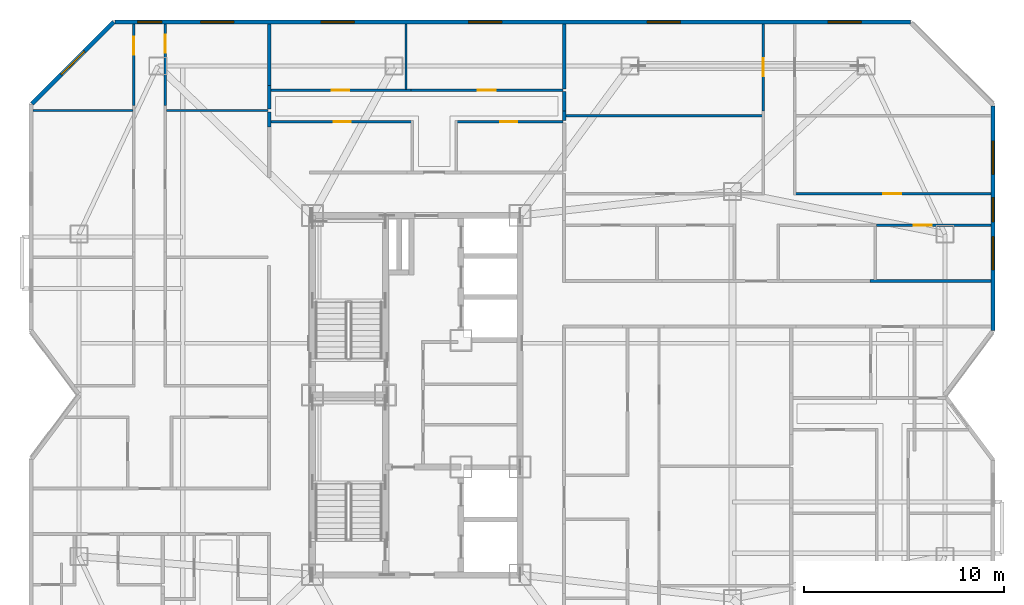
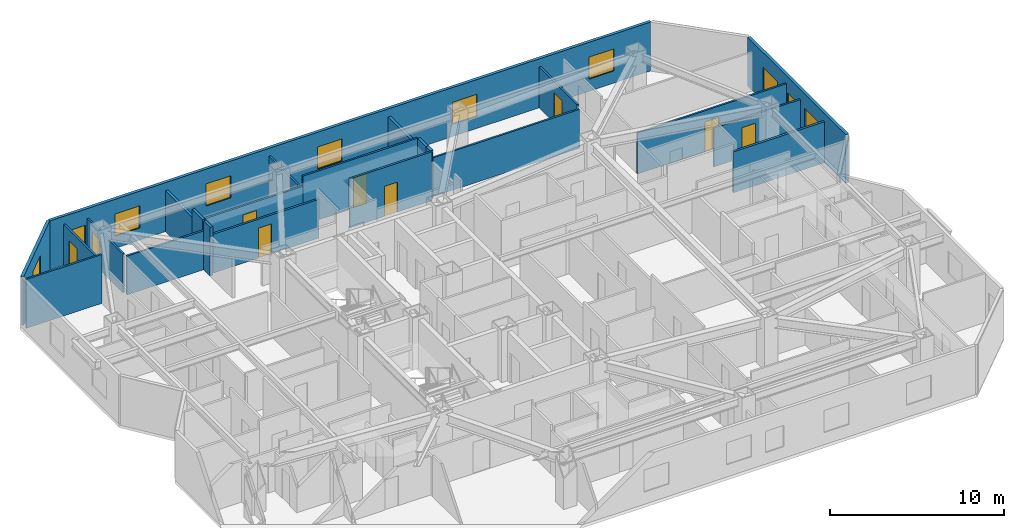
# One storey, part 10 of 13: 23 walls, 10 windows, 9 doors, 19 openings.
"""IFC4 building model written with IfcOpenShell, lengths in metres."""

from ifc_helpers import new_model, si_unit, direction, frame, frame_2d, origin, place, context, subcontext, project, spatial, rectangle, extrude, material, layer, layer_set, type_object, element, fill, save


model = new_model("IFC4")

# Units and contexts
model_context = context("Model", 3, precision=1e-05, world=origin(), true_north=direction((0.0, 1.0)))
body_context = subcontext(model_context, "Body", "Model", "MODEL_VIEW")
ifc_project = project(units=[si_unit("LENGTHUNIT", "METRE"), si_unit("AREAUNIT", "SQUARE_METRE"), si_unit("VOLUMEUNIT", "CUBIC_METRE"), si_unit("PLANEANGLEUNIT", "RADIAN"), si_unit("MASSUNIT", "GRAM", prefix="KILO")], contexts=[model_context])

# Site, building, storey
site_placement = place(None, origin())
site = spatial("IfcSite", under=ifc_project, at=site_placement, CompositionType="ELEMENT")
building_placement = place(site_placement, origin())
building = spatial("IfcBuilding", under=site, at=building_placement, Name="Khamvora Tower", CompositionType="ELEMENT")
storey_placement = place(building_placement, frame((0.0, 0.0, 166.85009765625)))
storey = spatial("IfcBuildingStorey", under=building, at=storey_placement, Name="L42", CompositionType="ELEMENT", Elevation=166.85009765625)

# Walls
ifc_material_1 = material(Name="Fire-Rated Drywall and Steel Stud", Category="steel")
ifc_layer_1 = layer(ifc_material_1, 0.14990234375)
ifc_layer_set_1 = layer_set([ifc_layer_1], Name="Fire-Rated Drywall and Steel Stud")
wall_type_1 = type_object("IfcWallType", Name="WAL-CORR-150", PredefinedType="STANDARD", material=ifc_layer_set_1)
wall_1_placement = place(storey_placement, frame((56.950927734375, 33.715087890625, 0.0), z_axis=(0.0, 0.0, 1.0), x_axis=(1.0, 0.0, 0.0)))
element("IfcWall", 1, at=wall_1_placement, inside=storey, type_object=wall_type_1, Name="L42 interior partition wall 039", PredefinedType="STANDARD", context=body_context, shape_type="SweptSolid", body=[
    extrude(rectangle(XDim=6.05712890625, YDim=0.14990234375, at=frame_2d((3.028564453125, 0.0))), origin(), (0.0, 0.0, 1.0), 2.8759765625),
])
ifc_material_2 = material(Name="Acoustic Double-Stud Fire Wall", Category="gypsum")
ifc_layer_2 = layer(ifc_material_2, 0.179931640625)
ifc_layer_set_2 = layer_set([ifc_layer_2], Name="Acoustic Double-Stud Fire Wall")
wall_type_2 = type_object("IfcWallType", Name="WAL-CORR-180", PredefinedType="STANDARD", material=ifc_layer_set_2)
wall_2_placement = place(storey_placement, frame((26.8349609375, 42.197998046875, 0.0), z_axis=(0.0, 0.0, 1.0), x_axis=(0.0, -1.0, 0.0)))
element("IfcWall", 2, at=wall_2_placement, inside=storey, type_object=wall_type_2, Name="L42 interior partition wall 082", PredefinedType="STANDARD", context=body_context, shape_type="SweptSolid", body=[
    extrude(rectangle(XDim=0.751953125, YDim=0.179931640625, at=frame_2d((0.3759765625, 0.0))), origin(), (0.0, 0.0, 1.0), 3.429931640625),
])
wall_3_placement = place(storey_placement, frame((26.8349609375, 43.52392578125, 0.0), z_axis=(0.0, 0.0, 1.0), x_axis=(0.0, -1.0, 0.0)))
element("IfcWall", 3, at=wall_3_placement, inside=storey, type_object=wall_type_2, Name="L42 interior partition wall 084", PredefinedType="STANDARD", context=body_context, shape_type="SweptSolid", body=[
    extrude(rectangle(XDim=1.196044921875, YDim=0.179931640625, at=frame_2d((0.59814453125, 0.0))), origin(), (0.0, 0.0, 1.0), 3.429931640625),
])
wall_4_placement = place(storey_placement, frame((26.8349609375, 46.60791015625, 0.0), z_axis=(0.0, 0.0, 1.0), x_axis=(0.0, -1.0, 0.0)))
element("IfcWall", 4, at=wall_4_placement, inside=storey, type_object=wall_type_2, Name="L42 interior partition wall 085", PredefinedType="STANDARD", context=body_context, shape_type="SweptSolid", body=[
    extrude(rectangle(XDim=3.083984375, YDim=0.179931640625, at=frame_2d((1.5419921875, 0.0))), origin(), (0.0, 0.0, 1.0), 2.8759765625),
])
wall_5_placement = place(storey_placement, frame((41.614990234375, 42.248046875, 0.0), z_axis=(0.0, 0.0, 1.0), x_axis=(0.0, -1.0, 0.0)))
element("IfcWall", 5, at=wall_5_placement, inside=storey, type_object=wall_type_2, Name="L42 interior partition wall 100", PredefinedType="STANDARD", context=body_context, shape_type="SweptSolid", body=[
    extrude(rectangle(XDim=0.488037109375, YDim=0.179931640625, at=frame_2d((0.244140625, 0.0))), origin(), (0.0, 0.0, 1.0), 3.429931640625),
])
wall_6_placement = place(storey_placement, frame((41.614990234375, 43.2099609375, 0.0), z_axis=(0.0, 0.0, 1.0), x_axis=(0.0, -1.0, 0.0)))
element("IfcWall", 6, at=wall_6_placement, inside=storey, type_object=wall_type_2, Name="L42 interior partition wall 101", PredefinedType="STANDARD", context=body_context, shape_type="SweptSolid", body=[
    extrude(rectangle(XDim=0.9619140625, YDim=0.179931640625, at=frame_2d((0.48095703125, 0.0))), origin(), (0.0, 0.0, 1.0), 3.429931640625),
])
wall_7_placement = place(storey_placement, frame((41.614990234375, 46.60791015625, 0.0), z_axis=(0.0, 0.0, 1.0), x_axis=(0.0, -1.0, 0.0)))
element("IfcWall", 7, at=wall_7_placement, inside=storey, type_object=wall_type_2, Name="L42 interior partition wall 104", PredefinedType="STANDARD", context=body_context, shape_type="SweptSolid", body=[
    extrude(rectangle(XDim=3.267822265625, YDim=0.179931640625, at=frame_2d((1.6337890625, 0.0))), origin(), (0.0, 0.0, 1.0), 2.8759765625),
])

# Wall, opening, window
ifc_material_3 = material(Name="Precast concrete C40/50", Category="concrete")
ifc_layer_3 = layer(ifc_material_3, 0.199951171875)
ifc_layer_set_3 = layer_set([ifc_layer_3], Name="Precast concrete C40/50")
wall_type_3 = type_object("IfcWallType", Name="WAL-EXT-200", PredefinedType="STANDARD", material=ifc_layer_set_3)
wall_8_placement = place(storey_placement, frame((14.945068359375, 42.60400390625, 0.0), z_axis=(0.0, 0.0, 1.0), x_axis=(0.707106781187, 0.707106781187, 0.0)))
wall_8 = element("IfcWall", 8, at=wall_8_placement, inside=storey, type_object=wall_type_3, Name="L42 exterior facade wall 06.1", PredefinedType="STANDARD", context=body_context, shape_type="SweptSolid", body=[
    extrude(rectangle(XDim=5.79248046875, YDim=0.199951171875, at=frame_2d((2.896240234375, 0.0))), origin(), (0.0, 0.0, 1.0), 3.429931640625),
])
opening_1_placement = place(wall_8_placement, frame((2.071044921875, 0.0, 0.85009765625)))
opening_1 = element("IfcOpeningElement", 9, at=opening_1_placement, cuts=wall_8, Name="Opening WN-06", PredefinedType="OPENING", context=body_context, shape_type="SweptSolid", body=[
    extrude(rectangle(XDim=1.64990234375, YDim=1.550048828125, at=frame_2d((0.824951171875, 0.77490234375))), frame((0.0, 0.10986328125, 0.0), z_axis=(0.0, -1.0, 0.0), x_axis=(1.0, 0.0, 0.0)), (0.0, 0.0, 1.0), 0.219970703125),
])
ifc_material_4 = material(Name="Low-E Laminated Double Glazing", Category="glass")
window_type_1 = type_object("IfcWindowType", Name="WIN-VIS-1650x1550", PartitioningType="SINGLE_PANEL", PredefinedType="WINDOW", material=ifc_material_4)
window_1_placement = place(opening_1_placement, origin())
window_1 = element("IfcWindow", 10, at=window_1_placement, inside=storey, type_object=window_type_1, Name="L42 vision window 06.1.01", OverallHeight=1.550048828125, OverallWidth=1.64990234375, PartitioningType="SINGLE_PANEL", PredefinedType="WINDOW", context=body_context, shape_type="SweptSolid", body=[
    extrude(rectangle(XDim=1.64990234375, YDim=1.550048828125, at=frame_2d((0.824951171875, 0.77490234375))), frame((0.0, 0.030029296875, 0.0), z_axis=(0.0, -1.0, 0.0), x_axis=(1.0, 0.0, 0.0)), (0.0, 0.0, 1.0), 0.06005859375),
])
fill(opening_1, window_1)

# Wall, openings, windows
wall_9_placement = place(storey_placement, frame((19.10205078125, 46.699951171875, 0.0), z_axis=(0.0, 0.0, 1.0), x_axis=(1.0, 0.0, 0.0)))
wall_9 = element("IfcWall", 11, at=wall_9_placement, inside=storey, type_object=wall_type_3, Name="L42 exterior facade wall 07.1", PredefinedType="STANDARD", context=body_context, shape_type="SweptSolid", body=[
    extrude(rectangle(XDim=39.85693359375, YDim=0.199951171875, at=frame_2d((19.928466796875, 0.0))), origin(), (0.0, 0.0, 1.0), 3.429931640625),
])
opening_2_placement = place(wall_9_placement, frame((1.137939453125, 0.0, 0.800048828125)))
opening_2 = element("IfcOpeningElement", 12, at=opening_2_placement, cuts=wall_9, Name="Opening WN-03", PredefinedType="OPENING", context=body_context, shape_type="SweptSolid", body=[
    extrude(rectangle(XDim=1.199951171875, YDim=1.5, at=frame_2d((0.60009765625, 0.75))), frame((0.0, 0.10986328125, 0.0), z_axis=(0.0, -1.0, 0.0), x_axis=(1.0, 0.0, 0.0)), (0.0, 0.0, 1.0), 0.219970703125),
])
opening_3_placement = place(wall_9_placement, frame((4.302978515625, 0.0, 0.85009765625)))
opening_3 = element("IfcOpeningElement", 13, at=opening_3_placement, cuts=wall_9, Name="Opening WN-06", PredefinedType="OPENING", context=body_context, shape_type="SweptSolid", body=[
    extrude(rectangle(XDim=1.64990234375, YDim=1.550048828125, at=frame_2d((0.824951171875, 0.77490234375))), frame((0.0, 0.10986328125, 0.0), z_axis=(0.0, -1.0, 0.0), x_axis=(1.0, 0.0, 0.0)), (0.0, 0.0, 1.0), 0.219970703125),
])
opening_4_placement = place(wall_9_placement, frame((10.3359375, 0.0, 0.85009765625)))
opening_4 = element("IfcOpeningElement", 14, at=opening_4_placement, cuts=wall_9, Name="Opening WN-06", PredefinedType="OPENING", context=body_context, shape_type="SweptSolid", body=[
    extrude(rectangle(XDim=1.64990234375, YDim=1.550048828125, at=frame_2d((0.824951171875, 0.77490234375))), frame((0.0, 0.10986328125, 0.0), z_axis=(0.0, -1.0, 0.0), x_axis=(1.0, 0.0, 0.0)), (0.0, 0.0, 1.0), 0.219970703125),
])
opening_5_placement = place(wall_9_placement, frame((17.72607421875, 0.0, 0.85009765625)))
opening_5 = element("IfcOpeningElement", 15, at=opening_5_placement, cuts=wall_9, Name="Opening WN-06", PredefinedType="OPENING", context=body_context, shape_type="SweptSolid", body=[
    extrude(rectangle(XDim=1.64990234375, YDim=1.550048828125, at=frame_2d((0.824951171875, 0.77490234375))), frame((0.0, 0.10986328125, 0.0), z_axis=(0.0, -1.0, 0.0), x_axis=(1.0, 0.0, 0.0)), (0.0, 0.0, 1.0), 0.219970703125),
])
opening_6_placement = place(wall_9_placement, frame((26.679931640625, 0.0, 0.85009765625)))
opening_6 = element("IfcOpeningElement", 16, at=opening_6_placement, cuts=wall_9, Name="Opening WN-06", PredefinedType="OPENING", context=body_context, shape_type="SweptSolid", body=[
    extrude(rectangle(XDim=1.64990234375, YDim=1.550048828125, at=frame_2d((0.824951171875, 0.77490234375))), frame((0.0, 0.10986328125, 0.0), z_axis=(0.0, -1.0, 0.0), x_axis=(1.0, 0.0, 0.0)), (0.0, 0.0, 1.0), 0.219970703125),
])
opening_7_placement = place(wall_9_placement, frame((35.7451171875, 0.0, 0.85009765625)))
opening_7 = element("IfcOpeningElement", 17, at=opening_7_placement, cuts=wall_9, Name="Opening WN-06", PredefinedType="OPENING", context=body_context, shape_type="SweptSolid", body=[
    extrude(rectangle(XDim=1.64990234375, YDim=1.550048828125, at=frame_2d((0.824951171875, 0.77490234375))), frame((0.0, 0.10986328125, 0.0), z_axis=(0.0, -1.0, 0.0), x_axis=(1.0, 0.0, 0.0)), (0.0, 0.0, 1.0), 0.219970703125),
])
window_type_2 = type_object("IfcWindowType", Name="WIN-VIS-1200x1500", PartitioningType="SINGLE_PANEL", PredefinedType="WINDOW", material=ifc_material_4)
window_2_placement = place(opening_2_placement, origin())
window_2 = element("IfcWindow", 18, at=window_2_placement, inside=storey, type_object=window_type_2, Name="L42 vision window 07.1.01", OverallHeight=1.5, OverallWidth=1.199951171875, PartitioningType="SINGLE_PANEL", PredefinedType="WINDOW", context=body_context, shape_type="SweptSolid", body=[
    extrude(rectangle(XDim=1.199951171875, YDim=1.5, at=frame_2d((0.60009765625, 0.75))), frame((0.0, 0.030029296875, 0.0), z_axis=(0.0, -1.0, 0.0), x_axis=(1.0, 0.0, 0.0)), (0.0, 0.0, 1.0), 0.06005859375),
])
fill(opening_2, window_2)
window_3_placement = place(opening_3_placement, origin())
window_3 = element("IfcWindow", 19, at=window_3_placement, inside=storey, type_object=window_type_1, Name="L42 vision window 07.1.02", OverallHeight=1.550048828125, OverallWidth=1.64990234375, PartitioningType="SINGLE_PANEL", PredefinedType="WINDOW", context=body_context, shape_type="SweptSolid", body=[
    extrude(rectangle(XDim=1.64990234375, YDim=1.550048828125, at=frame_2d((0.824951171875, 0.77490234375))), frame((0.0, 0.030029296875, 0.0), z_axis=(0.0, -1.0, 0.0), x_axis=(1.0, 0.0, 0.0)), (0.0, 0.0, 1.0), 0.06005859375),
])
fill(opening_3, window_3)
window_4_placement = place(opening_4_placement, origin())
window_4 = element("IfcWindow", 20, at=window_4_placement, inside=storey, type_object=window_type_1, Name="L42 vision window 07.1.03", OverallHeight=1.550048828125, OverallWidth=1.64990234375, PartitioningType="SINGLE_PANEL", PredefinedType="WINDOW", context=body_context, shape_type="SweptSolid", body=[
    extrude(rectangle(XDim=1.64990234375, YDim=1.550048828125, at=frame_2d((0.824951171875, 0.77490234375))), frame((0.0, 0.030029296875, 0.0), z_axis=(0.0, -1.0, 0.0), x_axis=(1.0, 0.0, 0.0)), (0.0, 0.0, 1.0), 0.06005859375),
])
fill(opening_4, window_4)
window_5_placement = place(opening_5_placement, origin())
window_5 = element("IfcWindow", 21, at=window_5_placement, inside=storey, type_object=window_type_1, Name="L42 vision window 07.1.04", OverallHeight=1.550048828125, OverallWidth=1.64990234375, PartitioningType="SINGLE_PANEL", PredefinedType="WINDOW", context=body_context, shape_type="SweptSolid", body=[
    extrude(rectangle(XDim=1.64990234375, YDim=1.550048828125, at=frame_2d((0.824951171875, 0.77490234375))), frame((0.0, 0.030029296875, 0.0), z_axis=(0.0, -1.0, 0.0), x_axis=(1.0, 0.0, 0.0)), (0.0, 0.0, 1.0), 0.06005859375),
])
fill(opening_5, window_5)
window_6_placement = place(opening_6_placement, origin())
window_6 = element("IfcWindow", 22, at=window_6_placement, inside=storey, type_object=window_type_1, Name="L42 vision window 07.1.05", OverallHeight=1.550048828125, OverallWidth=1.64990234375, PartitioningType="SINGLE_PANEL", PredefinedType="WINDOW", context=body_context, shape_type="SweptSolid", body=[
    extrude(rectangle(XDim=1.64990234375, YDim=1.550048828125, at=frame_2d((0.824951171875, 0.77490234375))), frame((0.0, 0.030029296875, 0.0), z_axis=(0.0, -1.0, 0.0), x_axis=(1.0, 0.0, 0.0)), (0.0, 0.0, 1.0), 0.06005859375),
])
fill(opening_6, window_6)
window_7_placement = place(opening_7_placement, origin())
window_7 = element("IfcWindow", 23, at=window_7_placement, inside=storey, type_object=window_type_1, Name="L42 vision window 07.1.06", OverallHeight=1.550048828125, OverallWidth=1.64990234375, PartitioningType="SINGLE_PANEL", PredefinedType="WINDOW", context=body_context, shape_type="SweptSolid", body=[
    extrude(rectangle(XDim=1.64990234375, YDim=1.550048828125, at=frame_2d((0.824951171875, 0.77490234375))), frame((0.0, 0.030029296875, 0.0), z_axis=(0.0, -1.0, 0.0), x_axis=(1.0, 0.0, 0.0)), (0.0, 0.0, 1.0), 0.06005859375),
])
fill(opening_7, window_7)

wall_10_placement = place(storey_placement, frame((63.10009765625, 42.49609375, 0.0), z_axis=(0.0, 0.0, 1.0), x_axis=(0.0, -1.0, 0.0)))
wall_10 = element("IfcWall", 24, at=wall_10_placement, inside=storey, type_object=wall_type_3, Name="L42 exterior facade wall 09.1", PredefinedType="STANDARD", context=body_context, shape_type="SweptSolid", body=[
    extrude(rectangle(XDim=11.26318359375, YDim=0.199951171875, at=frame_2d((5.631591796875, 0.0))), origin(), (0.0, 0.0, 1.0), 3.429931640625),
])
opening_8_placement = place(wall_10_placement, frame((6.55908203125, 0.0, 0.85009765625)))
opening_8 = element("IfcOpeningElement", 25, at=opening_8_placement, cuts=wall_10, Name="Opening WN-06", PredefinedType="OPENING", context=body_context, shape_type="SweptSolid", body=[
    extrude(rectangle(XDim=1.64990234375, YDim=1.550048828125, at=frame_2d((0.824951171875, 0.77490234375))), frame((0.0, 0.10986328125, 0.0), z_axis=(0.0, -1.0, 0.0), x_axis=(1.0, 0.0, 0.0)), (0.0, 0.0, 1.0), 0.219970703125),
])
opening_9_placement = place(wall_10_placement, frame((4.596923828125, 0.0, 0.800048828125)))
opening_9 = element("IfcOpeningElement", 26, at=opening_9_placement, cuts=wall_10, Name="Opening WN-03", PredefinedType="OPENING", context=body_context, shape_type="SweptSolid", body=[
    extrude(rectangle(XDim=1.199951171875, YDim=1.5, at=frame_2d((0.60009765625, 0.75))), frame((0.0, 0.10986328125, 0.0), z_axis=(0.0, -1.0, 0.0), x_axis=(1.0, 0.0, 0.0)), (0.0, 0.0, 1.0), 0.219970703125),
])
opening_10_placement = place(wall_10_placement, frame((1.77099609375, 0.0, 0.85009765625)))
opening_10 = element("IfcOpeningElement", 27, at=opening_10_placement, cuts=wall_10, Name="Opening WN-06", PredefinedType="OPENING", context=body_context, shape_type="SweptSolid", body=[
    extrude(rectangle(XDim=1.64990234375, YDim=1.550048828125, at=frame_2d((0.824951171875, 0.77490234375))), frame((0.0, 0.10986328125, 0.0), z_axis=(0.0, -1.0, 0.0), x_axis=(1.0, 0.0, 0.0)), (0.0, 0.0, 1.0), 0.219970703125),
])
window_8_placement = place(opening_9_placement, origin())
window_8 = element("IfcWindow", 28, at=window_8_placement, inside=storey, type_object=window_type_2, Name="L42 vision window 09.1.02", OverallHeight=1.5, OverallWidth=1.199951171875, PartitioningType="SINGLE_PANEL", PredefinedType="WINDOW", context=body_context, shape_type="SweptSolid", body=[
    extrude(rectangle(XDim=1.199951171875, YDim=1.5, at=frame_2d((0.60009765625, 0.75))), frame((0.0, 0.030029296875, 0.0), z_axis=(0.0, -1.0, 0.0), x_axis=(1.0, 0.0, 0.0)), (0.0, 0.0, 1.0), 0.06005859375),
])
fill(opening_9, window_8)
window_9_placement = place(opening_8_placement, origin())
window_9 = element("IfcWindow", 29, at=window_9_placement, inside=storey, type_object=window_type_1, Name="L42 vision window 09.1.01", OverallHeight=1.550048828125, OverallWidth=1.64990234375, PartitioningType="SINGLE_PANEL", PredefinedType="WINDOW", context=body_context, shape_type="SweptSolid", body=[
    extrude(rectangle(XDim=1.64990234375, YDim=1.550048828125, at=frame_2d((0.824951171875, 0.77490234375))), frame((0.0, 0.030029296875, 0.0), z_axis=(0.0, -1.0, 0.0), x_axis=(1.0, 0.0, 0.0)), (0.0, 0.0, 1.0), 0.06005859375),
])
fill(opening_8, window_9)
window_10_placement = place(opening_10_placement, origin())
window_10 = element("IfcWindow", 30, at=window_10_placement, inside=storey, type_object=window_type_1, Name="L42 vision window 09.1.03", OverallHeight=1.550048828125, OverallWidth=1.64990234375, PartitioningType="SINGLE_PANEL", PredefinedType="WINDOW", context=body_context, shape_type="SweptSolid", body=[
    extrude(rectangle(XDim=1.64990234375, YDim=1.550048828125, at=frame_2d((0.824951171875, 0.77490234375))), frame((0.0, 0.030029296875, 0.0), z_axis=(0.0, -1.0, 0.0), x_axis=(1.0, 0.0, 0.0)), (0.0, 0.0, 1.0), 0.06005859375),
])
fill(opening_10, window_10)

# Wall, opening, door
ifc_material_5 = material(Name="Gypsum Plasterboard Partition", Category="gypsum")
ifc_layer_4 = layer(ifc_material_5, 0.1201171875)
ifc_layer_set_4 = layer_set([ifc_layer_4], Name="Gypsum Plasterboard Partition")
wall_type_4 = type_object("IfcWallType", Name="WAL-PART-120", PredefinedType="PARTITIONING", material=ifc_layer_set_4)
wall_11_placement = place(storey_placement, frame((20.054931640625, 42.511962890625, 0.0), z_axis=(0.0, 0.0, 1.0), x_axis=(0.0, 1.0, 0.0)))
wall_11 = element("IfcWall", 31, at=wall_11_placement, inside=storey, type_object=wall_type_4, Name="L42 interior partition wall 073", PredefinedType="PARTITIONING", context=body_context, shape_type="SweptSolid", body=[
    extrude(rectangle(XDim=4.095947265625, YDim=0.1201171875, at=frame_2d((2.0478515625, 0.0))), origin(), (0.0, 0.0, 1.0), 2.8759765625),
])
opening_11_placement = place(wall_11_placement, frame((2.541015625, 0.0, 0.0)))
opening_11 = element("IfcOpeningElement", 32, at=opening_11_placement, cuts=wall_11, Name="Opening D-RM1", PredefinedType="OPENING", context=body_context, shape_type="SweptSolid", body=[
    extrude(rectangle(XDim=0.89990234375, YDim=2.10009765625, at=frame_2d((0.449951171875, 1.050048828125))), frame((0.0, 0.070068359375, 0.0), z_axis=(0.0, -1.0, 0.0), x_axis=(1.0, 0.0, 0.0)), (0.0, 0.0, 1.0), 0.14013671875),
])
ifc_material_6 = material(Name="Powder-Coated Steel and Hardwood Leaf", Category="steel")
door_type_1 = type_object("IfcDoorType", Name="DOR-ROOM-900", OperationType="NOTDEFINED", PredefinedType="DOOR", material=ifc_material_6)
door_1_placement = place(opening_11_placement, origin())
door_1 = element("IfcDoor", 33, at=door_1_placement, inside=storey, type_object=door_type_1, Name="L42 interior door 42WCH-42WCR3", OperationType="SINGLE_SWING_RIGHT", OverallHeight=2.10009765625, OverallWidth=0.89990234375, PredefinedType="DOOR", context=body_context, shape_type="SweptSolid", body=[
    extrude(rectangle(XDim=0.89990234375, YDim=2.10009765625, at=frame_2d((0.449951171875, 1.050048828125))), frame((0.0, 0.02490234375, 0.0), z_axis=(0.0, -1.0, 0.0), x_axis=(1.0, 0.0, 0.0)), (0.0, 0.0, 1.0), 0.050048828125),
])
fill(opening_11, door_1)

wall_12_placement = place(storey_placement, frame((21.625, 46.60791015625, 0.0), z_axis=(0.0, 0.0, 1.0), x_axis=(0.0, -1.0, 0.0)))
wall_12 = element("IfcWall", 34, at=wall_12_placement, inside=storey, type_object=wall_type_4, Name="L42 interior partition wall 077", PredefinedType="PARTITIONING", context=body_context, shape_type="SweptSolid", body=[
    extrude(rectangle(XDim=4.095947265625, YDim=0.1201171875, at=frame_2d((2.0478515625, 0.0))), origin(), (0.0, 0.0, 1.0), 2.724853515625),
])
opening_12_placement = place(wall_12_placement, frame((0.537109375, 0.0, 0.0)))
opening_12 = element("IfcOpeningElement", 35, at=opening_12_placement, cuts=wall_12, Name="Opening D-RM1", PredefinedType="OPENING", context=body_context, shape_type="SweptSolid", body=[
    extrude(rectangle(XDim=0.89990234375, YDim=2.10009765625, at=frame_2d((0.449951171875, 1.050048828125))), frame((0.0, 0.070068359375, 0.0), z_axis=(0.0, -1.0, 0.0), x_axis=(1.0, 0.0, 0.0)), (0.0, 0.0, 1.0), 0.14013671875),
])
door_2_placement = place(opening_12_placement, origin())
door_2 = element("IfcDoor", 36, at=door_2_placement, inside=storey, type_object=door_type_1, Name="L42 interior door 42WCH-42WCR6", OperationType="SINGLE_SWING_LEFT", OverallHeight=2.10009765625, OverallWidth=0.89990234375, PredefinedType="DOOR", context=body_context, shape_type="SweptSolid", body=[
    extrude(rectangle(XDim=0.89990234375, YDim=2.10009765625, at=frame_2d((0.449951171875, 1.050048828125))), frame((0.0, 0.02490234375, 0.0), z_axis=(0.0, -1.0, 0.0), x_axis=(1.0, 0.0, 0.0)), (0.0, 0.0, 1.0), 0.050048828125),
])
fill(opening_12, door_2)

# Walls
wall_13_placement = place(storey_placement, frame((14.991943359375, 42.262939453125, 0.0), z_axis=(0.0, 0.0, 1.0), x_axis=(1.0, 0.0, 0.0)))
element("IfcWall", 37, at=wall_13_placement, inside=storey, type_object=wall_type_4, Name="L42 interior partition wall 079", PredefinedType="PARTITIONING", context=body_context, shape_type="SweptSolid", body=[
    extrude(rectangle(XDim=5.009033203125, YDim=0.1201171875, at=frame_2d((2.50439453125, 0.0))), origin(), (0.0, 0.0, 1.0), 3.429931640625),
])
wall_14_placement = place(storey_placement, frame((21.678955078125, 42.262939453125, 0.0), z_axis=(0.0, 0.0, 1.0), x_axis=(1.0, 0.0, 0.0)))
element("IfcWall", 38, at=wall_14_placement, inside=storey, type_object=wall_type_4, Name="L42 interior partition wall 081", PredefinedType="PARTITIONING", context=body_context, shape_type="SweptSolid", body=[
    extrude(rectangle(XDim=5.091064453125, YDim=0.1201171875, at=frame_2d((2.54541015625, 0.0))), origin(), (0.0, 0.0, 1.0), 2.724853515625),
])

# Wall, opening, door
wall_15_placement = place(storey_placement, frame((26.9169921875, 43.27490234375, 0.0), z_axis=(0.0, 0.0, 1.0), x_axis=(1.0, 0.0, 0.0)))
wall_15 = element("IfcWall", 39, at=wall_15_placement, inside=storey, type_object=wall_type_4, Name="L42 interior partition wall 098", PredefinedType="PARTITIONING", context=body_context, shape_type="SweptSolid", body=[
    extrude(rectangle(XDim=7.02197265625, YDim=0.1201171875, at=frame_2d((3.510986328125, 0.0))), origin(), (0.0, 0.0, 1.0), 2.724853515625),
])
opening_13_placement = place(wall_15_placement, frame((3.0400390625, 0.0, 0.0)))
opening_13 = element("IfcOpeningElement", 40, at=opening_13_placement, cuts=wall_15, Name="Opening D-RM1", PredefinedType="OPENING", context=body_context, shape_type="SweptSolid", body=[
    extrude(rectangle(XDim=0.89990234375, YDim=2.10009765625, at=frame_2d((0.449951171875, 1.050048828125))), frame((0.0, 0.070068359375, 0.0), z_axis=(0.0, -1.0, 0.0), x_axis=(1.0, 0.0, 0.0)), (0.0, 0.0, 1.0), 0.14013671875),
])
door_3_placement = place(opening_13_placement, origin())
door_3 = element("IfcDoor", 41, at=door_3_placement, inside=storey, type_object=door_type_1, Name="L42 interior door 42NAH-42NAL", OperationType="SINGLE_SWING_LEFT", OverallHeight=2.10009765625, OverallWidth=0.89990234375, PredefinedType="DOOR", context=body_context, shape_type="SweptSolid", body=[
    extrude(rectangle(XDim=0.89990234375, YDim=2.10009765625, at=frame_2d((0.449951171875, 1.050048828125))), frame((0.0, 0.02490234375, 0.0), z_axis=(0.0, -1.0, 0.0), x_axis=(1.0, 0.0, 0.0)), (0.0, 0.0, 1.0), 0.050048828125),
])
fill(opening_13, door_3)

wall_16_placement = place(storey_placement, frame((33.93896484375, 43.27490234375, 0.0), z_axis=(0.0, 0.0, 1.0), x_axis=(1.0, 0.0, 0.0)))
wall_16 = element("IfcWall", 42, at=wall_16_placement, inside=storey, type_object=wall_type_4, Name="L42 interior partition wall 099", PredefinedType="PARTITIONING", context=body_context, shape_type="SweptSolid", body=[
    extrude(rectangle(XDim=7.611083984375, YDim=0.1201171875, at=frame_2d((3.8056640625, 0.0))), origin(), (0.0, 0.0, 1.0), 3.429931640625),
])
opening_14_placement = place(wall_16_placement, frame((3.35498046875, 0.0, 0.0)))
opening_14 = element("IfcOpeningElement", 43, at=opening_14_placement, cuts=wall_16, Name="Opening D-RM1", PredefinedType="OPENING", context=body_context, shape_type="SweptSolid", body=[
    extrude(rectangle(XDim=0.89990234375, YDim=2.10009765625, at=frame_2d((0.449951171875, 1.050048828125))), frame((0.0, 0.070068359375, 0.0), z_axis=(0.0, -1.0, 0.0), x_axis=(1.0, 0.0, 0.0)), (0.0, 0.0, 1.0), 0.14013671875),
])
door_4_placement = place(opening_14_placement, origin())
door_4 = element("IfcDoor", 44, at=door_4_placement, inside=storey, type_object=door_type_1, Name="L42 interior door 42NAH-42NAR2", OperationType="SINGLE_SWING_RIGHT", OverallHeight=2.10009765625, OverallWidth=0.89990234375, PredefinedType="DOOR", context=body_context, shape_type="SweptSolid", body=[
    extrude(rectangle(XDim=0.89990234375, YDim=2.10009765625, at=frame_2d((0.449951171875, 1.050048828125))), frame((0.0, 0.02490234375, 0.0), z_axis=(0.0, -1.0, 0.0), x_axis=(1.0, 0.0, 0.0)), (0.0, 0.0, 1.0), 0.050048828125),
])
fill(opening_14, door_4)

# Wall
wall_17_placement = place(storey_placement, frame((33.68994140625, 46.60791015625, 0.0), z_axis=(0.0, 0.0, 1.0), x_axis=(0.0, -1.0, 0.0)))
element("IfcWall", 45, at=wall_17_placement, inside=storey, type_object=wall_type_4, Name="L42 interior partition wall 103", PredefinedType="PARTITIONING", context=body_context, shape_type="SweptSolid", body=[
    extrude(rectangle(XDim=3.27880859375, YDim=0.1201171875, at=frame_2d((1.639404296875, 0.0))), origin(), (0.0, 0.0, 1.0), 2.8759765625),
])

# Wall, opening, door
wall_18_placement = place(storey_placement, frame((57.264892578125, 36.509033203125, 0.0), z_axis=(0.0, 0.0, 1.0), x_axis=(1.0, 0.0, 0.0)))
wall_18 = element("IfcWall", 46, at=wall_18_placement, inside=storey, type_object=wall_type_4, Name="L42 interior partition wall 144", PredefinedType="PARTITIONING", context=body_context, shape_type="SweptSolid", body=[
    extrude(rectangle(XDim=5.7431640625, YDim=0.1201171875, at=frame_2d((2.87158203125, 0.0))), origin(), (0.0, 0.0, 1.0), 2.724853515625),
])
opening_15_placement = place(wall_18_placement, frame((1.8779296875, 0.0, 0.0)))
opening_15 = element("IfcOpeningElement", 47, at=opening_15_placement, cuts=wall_18, Name="Opening D-RM1", PredefinedType="OPENING", context=body_context, shape_type="SweptSolid", body=[
    extrude(rectangle(XDim=0.89990234375, YDim=2.10009765625, at=frame_2d((0.449951171875, 1.050048828125))), frame((0.0, 0.070068359375, 0.0), z_axis=(0.0, -1.0, 0.0), x_axis=(1.0, 0.0, 0.0)), (0.0, 0.0, 1.0), 0.14013671875),
])
door_5_placement = place(opening_15_placement, origin())
door_5 = element("IfcDoor", 48, at=door_5_placement, inside=storey, type_object=door_type_1, Name="L42 interior door 42ECW2-42ECH", OperationType="SINGLE_SWING_LEFT", OverallHeight=2.10009765625, OverallWidth=0.89990234375, PredefinedType="DOOR", context=body_context, shape_type="SweptSolid", body=[
    extrude(rectangle(XDim=0.89990234375, YDim=2.10009765625, at=frame_2d((0.449951171875, 1.050048828125))), frame((0.0, 0.02490234375, 0.0), z_axis=(0.0, -1.0, 0.0), x_axis=(1.0, 0.0, 0.0)), (0.0, 0.0, 1.0), 0.050048828125),
])
fill(opening_15, door_5)

wall_19_placement = place(storey_placement, frame((51.60009765625, 42.248046875, 0.0), z_axis=(0.0, 0.0, 1.0), x_axis=(0.0, 1.0, 0.0)))
wall_19 = element("IfcWall", 49, at=wall_19_placement, inside=storey, type_object=wall_type_4, Name="L42 interior partition wall 152", PredefinedType="PARTITIONING", context=body_context, shape_type="SweptSolid", body=[
    extrude(rectangle(XDim=4.35986328125, YDim=0.1201171875, at=frame_2d((2.179931640625, 0.0))), origin(), (0.0, 0.0, 1.0), 2.8759765625),
])
opening_16_placement = place(wall_19_placement, frame((1.72998046875, 0.0, 0.0)))
opening_16 = element("IfcOpeningElement", 50, at=opening_16_placement, cuts=wall_19, Name="Opening D-RM1", PredefinedType="OPENING", context=body_context, shape_type="SweptSolid", body=[
    extrude(rectangle(XDim=0.89990234375, YDim=2.10009765625, at=frame_2d((0.449951171875, 1.050048828125))), frame((0.0, 0.070068359375, 0.0), z_axis=(0.0, -1.0, 0.0), x_axis=(1.0, 0.0, 0.0)), (0.0, 0.0, 1.0), 0.14013671875),
])
door_6_placement = place(opening_16_placement, origin())
door_6 = element("IfcDoor", 51, at=door_6_placement, inside=storey, type_object=door_type_1, Name="L42 interior door 42ECH-42ECR2", OperationType="SINGLE_SWING_LEFT", OverallHeight=2.10009765625, OverallWidth=0.89990234375, PredefinedType="DOOR", context=body_context, shape_type="SweptSolid", body=[
    extrude(rectangle(XDim=0.89990234375, YDim=2.10009765625, at=frame_2d((0.449951171875, 1.050048828125))), frame((0.0, 0.02490234375, 0.0), z_axis=(0.0, -1.0, 0.0), x_axis=(1.0, 0.0, 0.0)), (0.0, 0.0, 1.0), 0.050048828125),
])
fill(opening_16, door_6)

wall_20_placement = place(storey_placement, frame((53.10498046875, 38.089111328125, 0.0), z_axis=(0.0, 0.0, 1.0), x_axis=(1.0, 0.0, 0.0)))
wall_20 = element("IfcWall", 52, at=wall_20_placement, inside=storey, type_object=wall_type_4, Name="L42 interior partition wall 154", PredefinedType="PARTITIONING", context=body_context, shape_type="SweptSolid", body=[
    extrude(rectangle(XDim=9.903076171875, YDim=0.1201171875, at=frame_2d((4.95166015625, 0.0))), origin(), (0.0, 0.0, 1.0), 2.8759765625),
])
opening_17_placement = place(wall_20_placement, frame((4.501953125, 0.0, 0.0)))
opening_17 = element("IfcOpeningElement", 53, at=opening_17_placement, cuts=wall_20, Name="Opening D-RM1", PredefinedType="OPENING", context=body_context, shape_type="SweptSolid", body=[
    extrude(rectangle(XDim=0.89990234375, YDim=2.10009765625, at=frame_2d((0.449951171875, 1.050048828125))), frame((0.0, 0.070068359375, 0.0), z_axis=(0.0, -1.0, 0.0), x_axis=(1.0, 0.0, 0.0)), (0.0, 0.0, 1.0), 0.14013671875),
])
door_7_placement = place(opening_17_placement, origin())
door_7 = element("IfcDoor", 54, at=door_7_placement, inside=storey, type_object=door_type_1, Name="L42 interior door 42ECH-42ECR3", OperationType="SINGLE_SWING_RIGHT", OverallHeight=2.10009765625, OverallWidth=0.89990234375, PredefinedType="DOOR", context=body_context, shape_type="SweptSolid", body=[
    extrude(rectangle(XDim=0.89990234375, YDim=2.10009765625, at=frame_2d((0.449951171875, 1.050048828125))), frame((0.0, 0.02490234375, 0.0), z_axis=(0.0, -1.0, 0.0), x_axis=(1.0, 0.0, 0.0)), (0.0, 0.0, 1.0), 0.050048828125),
])
fill(opening_17, door_7)

# Wall
wall_21_placement = place(storey_placement, frame((41.697021484375, 41.9990234375, 0.0), z_axis=(0.0, 0.0, 1.0), x_axis=(1.0, 0.0, 0.0)))
element("IfcWall", 55, at=wall_21_placement, inside=storey, type_object=wall_type_4, Name="L42 interior partition wall 156", PredefinedType="PARTITIONING", context=body_context, shape_type="SweptSolid", body=[
    extrude(rectangle(XDim=9.848876953125, YDim=0.1201171875, at=frame_2d((4.92431640625, 0.0))), origin(), (0.0, 0.0, 1.0), 2.724853515625),
])

# Wall, opening, door
ifc_material_7 = material(Name="Moisture-Resistant Plasterboard Partition", Category="gypsum")
ifc_layer_5 = layer(ifc_material_7, 0.135009765625)
ifc_layer_set_5 = layer_set([ifc_layer_5], Name="Moisture-Resistant Plasterboard Partition")
wall_type_5 = type_object("IfcWallType", Name="WAL-WET-135", PredefinedType="PARTITIONING", material=ifc_layer_set_5)
wall_22_placement = place(storey_placement, frame((41.550048828125, 41.695068359375, 0.0), z_axis=(0.0, 0.0, 1.0), x_axis=(-1.0, 0.0, 0.0)))
wall_22 = element("IfcWall", 56, at=wall_22_placement, inside=storey, type_object=wall_type_5, Name="L42 interior partition wall 094", PredefinedType="PARTITIONING", context=body_context, shape_type="SweptSolid", body=[
    extrude(rectangle(XDim=5.416015625, YDim=0.135009765625, at=frame_2d((2.7080078125, 0.0))), origin(), (0.0, 0.0, 1.0), 3.429931640625),
])
opening_18_placement = place(wall_22_placement, frame((2.282958984375, 0.0, 0.0)))
opening_18 = element("IfcOpeningElement", 57, at=opening_18_placement, cuts=wall_22, Name="Opening D-WC1", PredefinedType="OPENING", context=body_context, shape_type="SweptSolid", body=[
    extrude(rectangle(XDim=0.85009765625, YDim=2.10009765625, at=frame_2d((0.425048828125, 1.050048828125))), frame((0.0, 0.077392578125, 0.0), z_axis=(0.0, -1.0, 0.0), x_axis=(1.0, 0.0, 0.0)), (0.0, 0.0, 1.0), 0.155029296875),
])
door_type_2 = type_object("IfcDoorType", Name="DOR-WET-850", OperationType="NOTDEFINED", PredefinedType="DOOR", material=ifc_material_6)
door_8_placement = place(opening_18_placement, origin())
door_8 = element("IfcDoor", 58, at=door_8_placement, inside=storey, type_object=door_type_2, Name="L42 interior door 42NAH-42NAB", OperationType="SINGLE_SWING_LEFT", OverallHeight=2.10009765625, OverallWidth=0.85009765625, PredefinedType="DOOR", context=body_context, shape_type="SweptSolid", body=[
    extrude(rectangle(XDim=0.85009765625, YDim=2.10009765625, at=frame_2d((0.425048828125, 1.050048828125))), frame((0.0, 0.02490234375, 0.0), z_axis=(0.0, -1.0, 0.0), x_axis=(1.0, 0.0, 0.0)), (0.0, 0.0, 1.0), 0.050048828125),
])
fill(opening_18, door_8)

wall_23_placement = place(storey_placement, frame((34.06396484375, 41.695068359375, 0.0), z_axis=(0.0, 0.0, 1.0), x_axis=(-1.0, 0.0, 0.0)))
wall_23 = element("IfcWall", 59, at=wall_23_placement, inside=storey, type_object=wall_type_5, Name="L42 interior partition wall 097", PredefinedType="PARTITIONING", context=body_context, shape_type="SweptSolid", body=[
    extrude(rectangle(XDim=7.14697265625, YDim=0.135009765625, at=frame_2d((3.573486328125, 0.0))), origin(), (0.0, 0.0, 1.0), 2.724853515625),
])
opening_19_placement = place(wall_23_placement, frame((3.14892578125, 0.0, 0.0)))
opening_19 = element("IfcOpeningElement", 60, at=opening_19_placement, cuts=wall_23, Name="Opening D-RM2", PredefinedType="OPENING", context=body_context, shape_type="SweptSolid", body=[
    extrude(rectangle(XDim=0.85009765625, YDim=2.10009765625, at=frame_2d((0.425048828125, 1.050048828125))), frame((0.0, 0.077392578125, 0.0), z_axis=(0.0, -1.0, 0.0), x_axis=(1.0, 0.0, 0.0)), (0.0, 0.0, 1.0), 0.155029296875),
])
door_type_3 = type_object("IfcDoorType", Name="DOR-ROOM-850", OperationType="NOTDEFINED", PredefinedType="DOOR", material=ifc_material_6)
door_9_placement = place(opening_19_placement, origin())
door_9 = element("IfcDoor", 61, at=door_9_placement, inside=storey, type_object=door_type_3, Name="L42 interior door 42NAH-42NAK", OperationType="SINGLE_SWING_RIGHT", OverallHeight=2.10009765625, OverallWidth=0.85009765625, PredefinedType="DOOR", context=body_context, shape_type="SweptSolid", body=[
    extrude(rectangle(XDim=0.85009765625, YDim=2.10009765625, at=frame_2d((0.425048828125, 1.050048828125))), frame((0.0, 0.02490234375, 0.0), z_axis=(0.0, -1.0, 0.0), x_axis=(1.0, 0.0, 0.0)), (0.0, 0.0, 1.0), 0.050048828125),
])
fill(opening_19, door_9)

save(model, "model.ifc")
